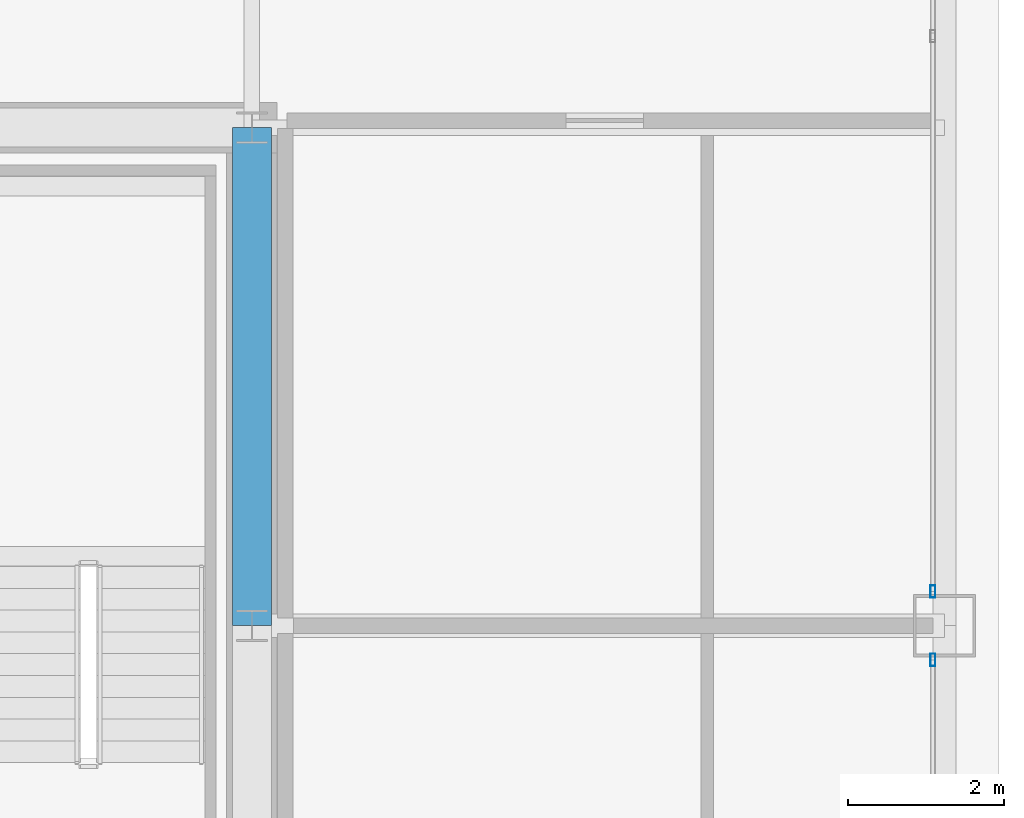
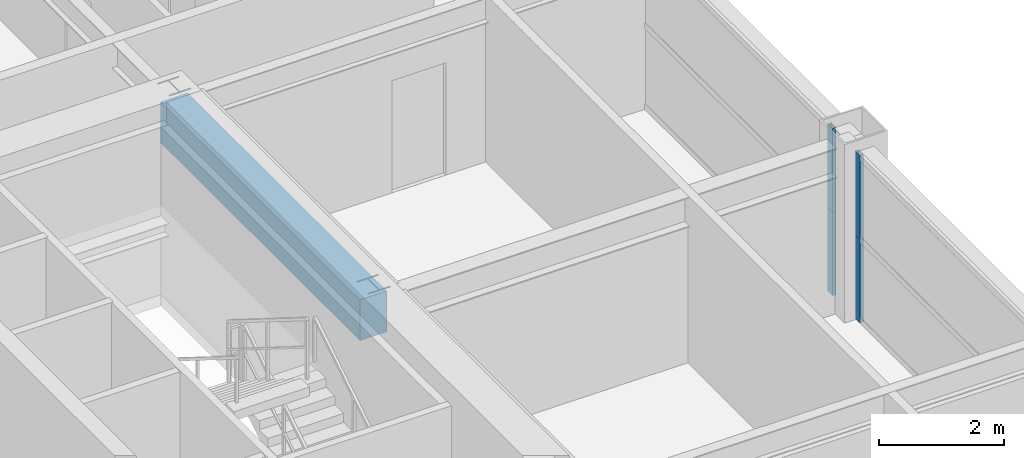
# One storey, part 20 of 38: 4 members, 1 beam, 2 elements without a shape of their own.
"""IFC4 building model written with IfcOpenShell, lengths in metres."""

import ifcopenshell
import ifcopenshell.guid

model = None  # the IFC model being written
_history = None  # IfcOwnerHistory: only IFC2X3 demands one
_inside = {}  # id of a spatial element -> (the spatial element, [elements in it])
_under = {}  # id of a project, library or spatial element -> (it, [spatial elements below it])
_declared = {}  # id of a project -> (the project, [libraries it declares])
_typed = {}  # id of a type object -> (the type object, [elements of that type])
_made_of = {}  # id of a material, layer set ... -> (it, [elements and type objects made of it])


def new_model(schema):
    """Start an empty IFC model of exactly this schema.

    Asked for "IFC4X3", IfcOpenShell would pick the latest addendum, in which some entities
    have other attributes; the version numbers below select the first issue.
    IFC2X3 requires an IfcOwnerHistory on every rooted entity: one is made here for all.
    """
    global model, _history
    if schema == "IFC4X3":
        model = ifcopenshell.file(schema_version=(4, 3, 0, 0))
    else:
        model = ifcopenshell.file(schema=schema)
    _inside.clear()
    _under.clear()
    _declared.clear()
    _typed.clear()
    _made_of.clear()
    _history = None
    if model.schema == "IFC2X3":
        org = make("IfcOrganization", Name="unknown")
        user = make(
            "IfcPersonAndOrganization",
            ThePerson=make("IfcPerson", FamilyName="unknown"),
            TheOrganization=org,
        )
        app = make(
            "IfcApplication",
            ApplicationDeveloper=org,
            Version="unknown",
            ApplicationFullName="unknown",
            ApplicationIdentifier="unknown",
        )
        _history = make(
            "IfcOwnerHistory",
            OwningUser=user,
            OwningApplication=app,
            ChangeAction="ADDED",
            CreationDate=0,
        )
    return model


def make(cls, **values):
    """One entity of the class cls with the attributes given. An attribute that is None is left unset."""
    return model.create_entity(
        cls, **{name: value for name, value in values.items() if value is not None}
    )


def rooted(cls, **values):
    """An entity with a GlobalId (a new one), such as an element, a storey or a relation."""
    return make(cls, GlobalId=ifcopenshell.guid.new(), OwnerHistory=_history, **values)


def si_unit(unit_type, name, prefix=None):
    """IfcSIUnit, for example si_unit("LENGTHUNIT", "METRE", prefix="MILLI")."""
    return make("IfcSIUnit", UnitType=unit_type, Prefix=prefix, Name=name)


def assignment(units):
    """IfcUnitAssignment: the units of a project."""
    return None if units is None else make("IfcUnitAssignment", Units=units)


def point(xyz):
    """IfcCartesianPoint."""
    return None if xyz is None else make("IfcCartesianPoint", Coordinates=xyz)


def direction(xyz):
    """IfcDirection."""
    return None if xyz is None else make("IfcDirection", DirectionRatios=xyz)


def frame(location, z_axis=None, x_axis=None):
    """IfcAxis2Placement3D, a coordinate frame: its origin and axes. An axis left out is left unset."""
    return make(
        "IfcAxis2Placement3D",
        Location=point(location),
        Axis=direction(z_axis),
        RefDirection=direction(x_axis),
    )


def frame_2d(location, x_axis=None):
    """IfcAxis2Placement2D, a coordinate frame in the plane: its origin and x axis."""
    return make(
        "IfcAxis2Placement2D", Location=point(location), RefDirection=direction(x_axis)
    )


def origin():
    """The frame at (0, 0, 0) with its axes left unset."""
    return frame((0.0, 0.0, 0.0))


def origin_2d():
    """The frame at (0, 0) in the plane with its x axis left unset."""
    return frame_2d((0.0, 0.0))


def place(relative_to, where):
    """IfcLocalPlacement: puts the frame where relative to a parent placement (None: the world)."""
    return make(
        "IfcLocalPlacement", PlacementRelTo=relative_to, RelativePlacement=where
    )


def context(
    kind, dimensions, precision=None, world=None, true_north=None, identifier=None
):
    """IfcGeometricRepresentationContext, for example the 3D "Model" context."""
    return make(
        "IfcGeometricRepresentationContext",
        ContextIdentifier=identifier,
        ContextType=kind,
        CoordinateSpaceDimension=dimensions,
        Precision=precision,
        WorldCoordinateSystem=world,
        TrueNorth=true_north,
    )


def subcontext(parent, identifier, kind, view, scale=None):
    """IfcGeometricRepresentationSubContext, for example "Body" below "Model"."""
    return make(
        "IfcGeometricRepresentationSubContext",
        ContextIdentifier=identifier,
        ContextType=kind,
        ParentContext=parent,
        TargetScale=scale,
        TargetView=view,
    )


def project(units=None, contexts=None):
    """IfcProject with its units and contexts."""
    return rooted(
        "IfcProject",
        Name="project",
        RepresentationContexts=contexts,
        UnitsInContext=assignment(units),
    )


def spatial(cls, under=None, at=None, **own):
    """A site, building, storey or space (cls), placed at a placement, below another one or the project."""
    s = rooted(cls, ObjectPlacement=at, **own)
    if under is not None:
        _under.setdefault(under.id(), (under, []))[1].append(s)
    return s


def profile(cls, at=None, kind="AREA", **sizes):
    """A parametric profile (cls). Its sizes go by their IFC names, for example OverallWidth=200.0."""
    return make(cls, ProfileType=kind, Position=at, **sizes)


def rectangle(**sizes):
    """IfcRectangleProfileDef."""
    return profile("IfcRectangleProfileDef", **sizes)


def hollow_rectangle(**sizes):
    """IfcRectangleHollowProfileDef."""
    return profile("IfcRectangleHollowProfileDef", **sizes)


def extrude(swept, where, along, depth):
    """IfcExtrudedAreaSolid: the profile swept, set in the frame where, extruded along a direction by depth."""
    return make(
        "IfcExtrudedAreaSolid",
        SweptArea=swept,
        Position=where,
        ExtrudedDirection=direction(along),
        Depth=depth,
    )


def shape(context_of_items, identifier, shape_type, items):
    """IfcShapeRepresentation: the items that make up one representation, for example the "Body"."""
    return make(
        "IfcShapeRepresentation",
        ContextOfItems=context_of_items,
        RepresentationIdentifier=identifier,
        RepresentationType=shape_type,
        Items=items,
    )


def source(mapping_origin, context_of_items, identifier, shape_type, items):
    """IfcRepresentationMap: a shape defined once, which mapped items show again and again."""
    return make(
        "IfcRepresentationMap",
        MappingOrigin=mapping_origin,
        MappedRepresentation=shape(context_of_items, identifier, shape_type, items),
    )


def transform(
    local_origin,
    x_axis=None,
    y_axis=None,
    z_axis=None,
    scale=None,
    scale2=None,
    scale3=None,
    uniform=True,
):
    """IfcCartesianTransformationOperator3D, or its non-uniform kind. x_axis, y_axis, z_axis: its Axis1, 2, 3."""
    if uniform:
        return make(
            "IfcCartesianTransformationOperator3D",
            Axis1=direction(x_axis),
            Axis2=direction(y_axis),
            LocalOrigin=point(local_origin),
            Scale=scale,
            Axis3=direction(z_axis),
        )
    return make(
        "IfcCartesianTransformationOperator3DnonUniform",
        Axis1=direction(x_axis),
        Axis2=direction(y_axis),
        LocalOrigin=point(local_origin),
        Scale=scale,
        Axis3=direction(z_axis),
        Scale2=scale2,
        Scale3=scale3,
    )


def mapped(mapping_source, mapping_target):
    """IfcMappedItem: shows the shape of a source again, moved by a transform."""
    return make(
        "IfcMappedItem", MappingSource=mapping_source, MappingTarget=mapping_target
    )


def material(Name=None, Category=None):
    """IfcMaterial."""
    return make("IfcMaterial", Name=Name, Category=Category)


def layer(
    of_material, thickness, ventilated=None, Name=None, Category=None, Priority=None
):
    """IfcMaterialLayer: one layer of a wall or slab, of a material (None: an air gap)."""
    return make(
        "IfcMaterialLayer",
        Material=of_material,
        LayerThickness=thickness,
        IsVentilated=ventilated,
        Name=Name,
        Category=Category,
        Priority=Priority,
    )


def layer_set(layers, Name=None):
    """IfcMaterialLayerSet."""
    return make("IfcMaterialLayerSet", MaterialLayers=layers, LayerSetName=Name)


def material_profile(
    of_material, cross_section, Name=None, Category=None, Priority=None
):
    """IfcMaterialProfile: a cross section and its material."""
    return make(
        "IfcMaterialProfile",
        Name=Name,
        Material=of_material,
        Profile=cross_section,
        Priority=Priority,
        Category=Category,
    )


def profile_set(profiles, Name=None, composite=None):
    """IfcMaterialProfileSet."""
    return make(
        "IfcMaterialProfileSet",
        Name=Name,
        MaterialProfiles=profiles,
        CompositeProfile=composite,
    )


def made_of(thing, what):
    """Note that an element or type object is made of a material, layer set ...; save() writes the relation."""
    if what is not None:
        _made_of.setdefault(what.id(), (what, []))[1].append(thing)
    return thing


def type_object(cls, material=None, **own):
    """A type object (cls), such as IfcWallType, which elements share."""
    return made_of(rooted(cls, **own), material)


def element(
    cls,
    number,
    at=None,
    inside=None,
    cuts=None,
    type_object=None,
    material=None,
    context=None,
    identifier="Body",
    shape_type=None,
    held_by="IfcProductDefinitionShape",
    body=None,
    shapes=None,
    **own,
):
    """One element of the class cls, such as IfcWall. Its Tag is "e" and its number.

    at: its placement. inside: the storey or other place that contains it. cuts: it is an
    opening in that element (IfcRelVoidsElement). A single representation is given by context,
    identifier, shape_type and body (its items); several are given by shapes. held_by: the class
    of the entity that holds the representations. save() writes the other relations.
    """
    e = rooted(cls, Tag="e%d" % number, ObjectPlacement=at, **own)
    if body is not None:
        shapes = [shape(context, identifier, shape_type, body)]
    if shapes is not None:
        e.Representation = make(held_by, Representations=shapes)
    if inside is not None:
        _inside.setdefault(inside.id(), (inside, []))[1].append(e)
    if cuts is not None:
        rooted(
            "IfcRelVoidsElement", RelatingBuildingElement=cuts, RelatedOpeningElement=e
        )
    if type_object is not None:
        _typed.setdefault(type_object.id(), (type_object, []))[1].append(e)
    return made_of(e, material)


def aggregate(whole, parts):
    """IfcRelAggregates: a whole, such as a stair, and the parts it consists of."""
    return rooted("IfcRelAggregates", RelatingObject=whole, RelatedObjects=parts)


def save(model, path):
    """Write the relations noted so far, then the file.

    IfcRelAggregates (storeys below a building ...), IfcRelContainedInSpatialStructure (elements
    in a storey), IfcRelDefinesByType, IfcRelAssociatesMaterial and IfcRelDeclares: one each for
    every whole, place, type object, material and project.
    """
    for whole, parts in _under.values():
        aggregate(whole, parts)
    for where, things in _inside.values():
        rooted(
            "IfcRelContainedInSpatialStructure",
            RelatedElements=things,
            RelatingStructure=where,
        )
    for kind, things in _typed.values():
        rooted("IfcRelDefinesByType", RelatedObjects=things, RelatingType=kind)
    for what, things in _made_of.values():
        rooted("IfcRelAssociatesMaterial", RelatedObjects=things, RelatingMaterial=what)
    for by, libraries in _declared.values():
        rooted("IfcRelDeclares", RelatingContext=by, RelatedDefinitions=libraries)
    model.write(path)


model = new_model("IFC4")

# Units and contexts
model_context = context("Model", 3, precision=1e-05, world=origin(), true_north=direction((0.0, 1.0)))
body_context = subcontext(model_context, "Body", "Model", "MODEL_VIEW")
ifc_project = project(units=[si_unit("LENGTHUNIT", "METRE"), si_unit("AREAUNIT", "SQUARE_METRE"), si_unit("VOLUMEUNIT", "CUBIC_METRE"), si_unit("PLANEANGLEUNIT", "RADIAN"), si_unit("MASSUNIT", "GRAM", prefix="KILO"), si_unit("THERMODYNAMICTEMPERATUREUNIT", "KELVIN"), si_unit("POWERUNIT", "WATT")], contexts=[model_context])

# Site, building, storey
site_placement = place(None, origin())
site = spatial("IfcSite", under=ifc_project, at=site_placement, CompositionType="ELEMENT")
building_placement = place(site_placement, origin())
building = spatial("IfcBuilding", under=site, at=building_placement, Name="Yuzanri Waterfront Tower", CompositionType="ELEMENT")
storey_placement = place(building_placement, frame((0.0, 0.0, 202.0)))
storey = spatial("IfcBuildingStorey", under=building, at=storey_placement, Name="L53", CompositionType="ELEMENT", Elevation=202.0)

# Beam
ifc_material_1 = material(Name="Concrete C50", Category="concrete")
ifc_material_profile_1 = material_profile(ifc_material_1, rectangle(XDim=0.5, YDim=0.800048828125, at=origin_2d()), Name="RC 500x800")
ifc_profile_set_1 = profile_set([ifc_material_profile_1], Name="Concrete C50")
beam_type = type_object("IfcBeamType", Name="Core Coupling Lintel Concrete C50 500x800", PredefinedType="LINTEL", material=ifc_profile_set_1)
shared_shape_1 = source(origin(), body_context, "Body", "SweptSolid", [
    extrude(rectangle(XDim=0.5, YDim=0.800048828125, at=origin_2d()), origin(), (0.0, 0.0, 1.0), 6.39990234375),
])
beam_placement = place(storey_placement, frame((50.199951171875, 25.800048828125, 2.8798828125), z_axis=(0.0, 1.0, 0.0), x_axis=(-1.0, 0.0, 0.0)))
element("IfcBeam", 1, at=beam_placement, inside=storey, type_object=beam_type, Name="L53 Core Tie Beam CE2", PredefinedType="LINTEL", context=body_context, shape_type="MappedRepresentation", body=[
    mapped(shared_shape_1, transform((0.0, 0.0, 0.0), scale=1.0)),
])

# Curtain wall, members
ifc_material_2 = material(Name="Anodized Architectural Bronze", Category="metal")
ifc_layer = layer(ifc_material_2, 0.159912109375)
ifc_layer_set = layer_set([ifc_layer], Name="Anodized Architectural Bronze")
curtain_wall_type = type_object("IfcCurtainWallType", Name="Anodized Bronze Mid-Rise Residential Acoustic Unitized Curtain Wall 7200", PredefinedType="NOTDEFINED", material=ifc_layer_set)
curtain_wall_1_placement = place(storey_placement, origin())
curtain_wall_1 = element("IfcCurtainWall", 2, at=curtain_wall_1_placement, inside=storey, type_object=curtain_wall_type, Name="L53 Curtain Wall CW-L53-EL", PredefinedType="NOTDEFINED")
ifc_material_3 = material(Name="Anodized Architectural Bronze", Category="metal")
ifc_material_profile_2 = material_profile(ifc_material_3, hollow_rectangle(XDim=0.06494140625, YDim=0.159912109375, WallThickness=0.00341796875, at=origin_2d()), Name="CWM 65x160")
ifc_profile_set_2 = profile_set([ifc_material_profile_2], Name="Anodized Architectural Bronze")
member_type = type_object("IfcMemberType", Name="Anodized Bronze Upper-Zone Curtain-Wall Mullion 65x160", PredefinedType="MULLION", material=ifc_profile_set_2)
shared_shape_2 = source(origin(), body_context, "Body", "SweptSolid", [
    extrude(hollow_rectangle(XDim=0.06494140625, YDim=0.159912109375, WallThickness=0.00341796875, at=origin_2d()), origin(), (0.0, 0.0, 1.0), 1.637939453125),
])
member_1_placement = place(storey_placement, frame((58.949951171875, 25.360107421875, 0.0), z_axis=(0.0, 0.0, 1.0), x_axis=(1.0, 0.0, 0.0)))
member_1 = element("IfcMember", 3, at=member_1_placement, type_object=member_type, Name="CW-L53-EL Lower Mullion 02", PredefinedType="MULLION", context=body_context, shape_type="MappedRepresentation", body=[
    mapped(shared_shape_2, transform((0.0, 0.0, 0.0), scale=1.0)),
])
member_2_placement = place(storey_placement, frame((58.949951171875, 25.360107421875, 1.64208984375), z_axis=(0.0, 0.0, 1.0), x_axis=(1.0, 0.0, 0.0)))
member_2 = element("IfcMember", 4, at=member_2_placement, type_object=member_type, Name="CW-L53-EL Upper Mullion 02", PredefinedType="MULLION", context=body_context, shape_type="MappedRepresentation", body=[
    mapped(shared_shape_2, transform((0.0, 0.0, 0.0), scale=1.0)),
])
aggregate(curtain_wall_1, [member_1, member_2])

curtain_wall_2_placement = place(storey_placement, origin())
curtain_wall_2 = element("IfcCurtainWall", 5, at=curtain_wall_2_placement, inside=storey, type_object=curtain_wall_type, Name="L53 Curtain Wall CW-L53-ER", PredefinedType="NOTDEFINED")
member_3_placement = place(storey_placement, frame((58.949951171875, 26.239990234375, 0.0), z_axis=(0.0, 0.0, 1.0), x_axis=(1.0, 0.0, 0.0)))
member_3 = element("IfcMember", 6, at=member_3_placement, type_object=member_type, Name="CW-L53-ER Lower Mullion 00", PredefinedType="MULLION", context=body_context, shape_type="MappedRepresentation", body=[
    mapped(shared_shape_2, transform((0.0, 0.0, 0.0), scale=1.0)),
])
member_4_placement = place(storey_placement, frame((58.949951171875, 26.239990234375, 1.64208984375), z_axis=(0.0, 0.0, 1.0), x_axis=(1.0, 0.0, 0.0)))
member_4 = element("IfcMember", 7, at=member_4_placement, type_object=member_type, Name="CW-L53-ER Upper Mullion 00", PredefinedType="MULLION", context=body_context, shape_type="MappedRepresentation", body=[
    mapped(shared_shape_2, transform((0.0, 0.0, 0.0), scale=1.0)),
])
aggregate(curtain_wall_2, [member_3, member_4])

save(model, "model.ifc")
